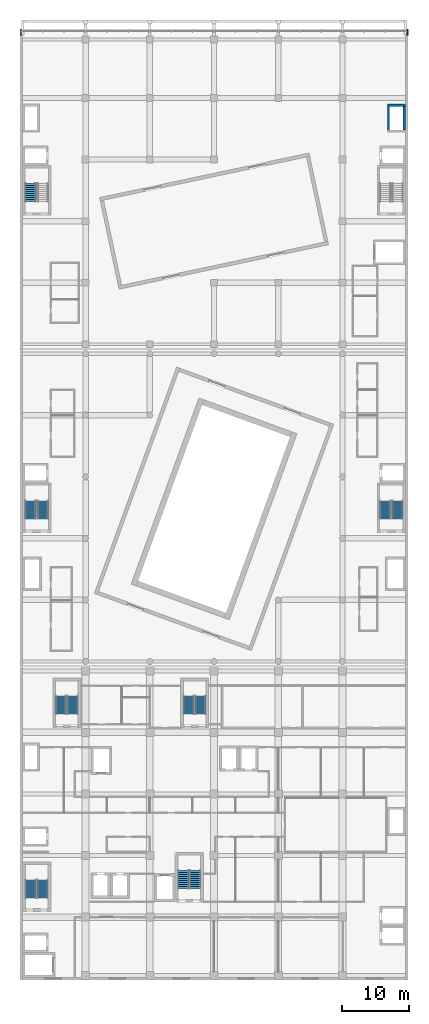
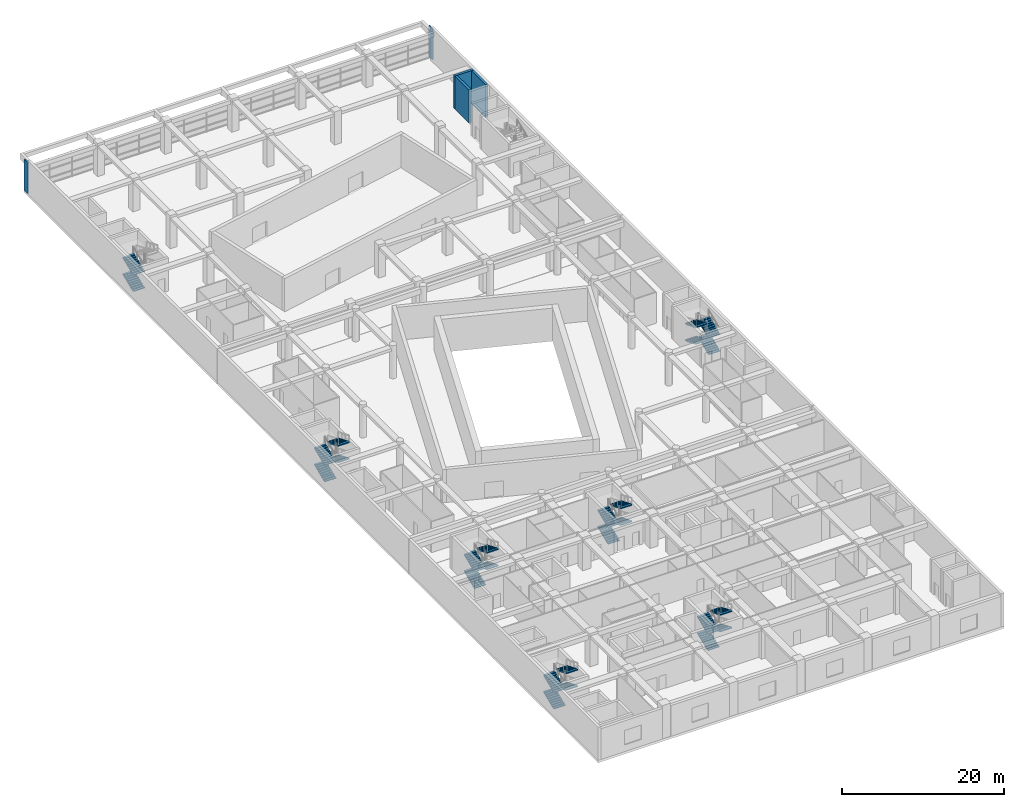
# One storey, part 15 of 31: 26 stair flights, 5 walls, 7 elements without a shape of their own.
"""IFC4 building model written with IfcOpenShell, lengths in metres."""

from ifc_helpers import new_model, si_unit, direction, frame, frame_2d, origin, place, context, subcontext, project, spatial, polyline, rectangle, outline, extrude, material, layer, layer_set, layer_usage, type_object, element, aggregate, save


model = new_model("IFC4")

# Units and contexts
model_context = context("Model", 3, precision=1e-05, world=origin(), true_north=direction((0.0, 1.0)))
body_context = subcontext(model_context, "Body", "Model", "MODEL_VIEW")
ifc_project = project(units=[si_unit("LENGTHUNIT", "METRE"), si_unit("AREAUNIT", "SQUARE_METRE"), si_unit("VOLUMEUNIT", "CUBIC_METRE"), si_unit("PLANEANGLEUNIT", "RADIAN"), si_unit("MASSUNIT", "GRAM", prefix="KILO")], contexts=[model_context])

# Site, building, storey
site_placement = place(None, origin())
site = spatial("IfcSite", under=ifc_project, at=site_placement, CompositionType="ELEMENT")
building_placement = place(site_placement, origin())
building = spatial("IfcBuilding", under=site, at=building_placement, Name="Nzadi Deep Aquarium and Research Tower", CompositionType="ELEMENT")
storey_placement = place(building_placement, frame((0.0, 0.0, 21.699951171875)))
storey = spatial("IfcBuildingStorey", under=building, at=storey_placement, Name="L03", CompositionType="ELEMENT", Elevation=21.699951171875)

# Walls
ifc_material_1 = material(Name="Graphite aluminium shingle", Category="aluminium")
ifc_layer_1 = layer(ifc_material_1, 0.050048828125, Category="cladding")
ifc_material_2 = material(Name="Concrete C35/45", Category="concrete")
ifc_layer_2 = layer(ifc_material_2, 0.10009765625, Category="cladding")
ifc_material_3 = material(Name="Mineral wool insulation")
ifc_layer_3 = layer(ifc_material_3, 0.050048828125, Category="insulation")
ifc_layer_set_1 = layer_set([ifc_layer_1, ifc_layer_2, ifc_layer_3], Name="Graphite aluminium shingle, Concrete C35/45, Mineral wool insulation")
ifc_layer_usage_1 = layer_usage(ifc_layer_set_1, "AXIS2", "POSITIVE", -0.0999755859375)
wall_type_1 = type_object("IfcWallType", Name="End wall shingle over board-formed concrete 200", PredefinedType="ELEMENTEDWALL", material=ifc_layer_set_1)
wall_1_placement = place(storey_placement, frame((-0.099365234375, 141.89990234375, 0.0), z_axis=(0.0, 0.0, 1.0), x_axis=(0.0, -1.0, 0.0)))
element("IfcWall", 1, at=wall_1_placement, inside=storey, type_object=wall_type_1, material=ifc_layer_usage_1, Name="North cascade cheek wall L03", PredefinedType="ELEMENTEDWALL", context=body_context, shape_type="SweptSolid", body=[
    extrude(rectangle(XDim=0.89990234375, YDim=0.199951171875, at=frame_2d((0.449951171875, 0.0))), origin(), (0.0, 0.0, 1.0), 4.650146484375),
])
ifc_layer_usage_2 = layer_usage(ifc_layer_set_1, "AXIS2", "POSITIVE", -0.0999755859375)
wall_2_placement = place(storey_placement, frame((57.699462890625, 141.0, 0.0), z_axis=(0.0, 0.0, 1.0), x_axis=(0.0, 1.0, 0.0)))
element("IfcWall", 2, at=wall_2_placement, inside=storey, type_object=wall_type_1, material=ifc_layer_usage_2, Name="North cascade cheek wall L03", PredefinedType="ELEMENTEDWALL", context=body_context, shape_type="SweptSolid", body=[
    extrude(rectangle(XDim=0.89990234375, YDim=0.199951171875, at=frame_2d((0.449951171875, 0.0))), origin(), (0.0, 0.0, 1.0), 4.650146484375),
])
ifc_material_4 = material(Name="Concrete C35/45", Category="concrete")
ifc_layer_4 = layer(ifc_material_4, 0.35009765625)
ifc_layer_set_2 = layer_set([ifc_layer_4], Name="Concrete C35/45")
wall_type_2 = type_object("IfcWallType", Name="RC core wall 350", PredefinedType="SHEAR", material=ifc_layer_set_2)
wall_3_placement = place(storey_placement, frame((54.699951171875, 130.52490234375, 0.0), z_axis=(0.0, 0.0, 1.0), x_axis=(1.0, 0.0, 0.0)))
element("IfcWall", 3, at=wall_3_placement, inside=storey, type_object=wall_type_2, Name="W-CORE-RS-Z3-E-L03-N", PredefinedType="SHEAR", context=body_context, shape_type="SweptSolid", body=[
    extrude(rectangle(XDim=2.699951171875, YDim=0.35009765625, at=frame_2d((1.35009765625, 0.0))), origin(), (0.0, 0.0, 1.0), 5.0),
])
for number, where, z_axis, x_axis, name in (
    (4, (54.875, 126.85009765625, 0.0), (0.0, 0.0, 1.0), (0.0, 1.0, 0.0), "W-CORE-RS-Z3-E-L03-W"),
    (5, (57.22509765625, 126.85009765625, 0.0), (0.0, 0.0, 1.0), (0.0, 1.0, 0.0), "W-CORE-RS-Z3-E-L03-E"),
):
    element("IfcWall", number, at=place(storey_placement, frame(where, z_axis=z_axis, x_axis=x_axis)), inside=storey, type_object=wall_type_2, Name=name, PredefinedType="SHEAR", context=body_context, shape_type="SweptSolid", body=[
        extrude(rectangle(XDim=3.5, YDim=0.35009765625, at=frame_2d((1.75, 0.0))), origin(), (0.0, 0.0, 1.0), 5.0),
    ])

# Stair, stair flights
ifc_material_5 = material(Name="Concrete C35/45", Category="concrete")
stair_type = type_object("IfcStairType", Name="STAIR RETURN 3000", PredefinedType="NOTDEFINED", material=ifc_material_5)
stair_1_placement = place(storey_placement, origin())
stair_1 = element("IfcStair", 6, at=stair_1_placement, inside=storey, type_object=stair_type, Name="Stair ST-Z1-SW L03", PredefinedType="DOUBLE_RETURN_STAIR")
ifc_material_6 = material(Name="Concrete C35/45", Category="concrete")
stair_flight_type = type_object("IfcStairFlightType", Name="FLIGHT 1625 10 RISERS 125.0", PredefinedType="STRAIGHT", material=ifc_material_6)
stair_flight_1_placement = place(storey_placement, frame((1.41259765625, 12.070068359375, 0.0), z_axis=(0.0, 0.0, 1.0), x_axis=(0.0, 1.0, 0.0)))
stair_flight_1 = element("IfcStairFlight", 7, at=stair_flight_1_placement, type_object=stair_flight_type, Name="ST-Z1-SW flight 1", NumberOfRisers=10, NumberOfTreads=9, PredefinedType="STRAIGHT", RiserHeight=0.125, TreadLength=0.3, context=body_context, shape_type="SweptSolid", body=[
    extrude(outline(polyline([(0.0, 0.0), (0.0, 0.125), (0.300048828125, 0.125), (0.300048828125, 0.25), (0.60009765625, 0.25), (0.60009765625, 0.375), (0.89990234375, 0.375), (0.89990234375, 0.5), (1.199951171875, 0.5), (1.199951171875, 0.625), (1.5, 0.625), (1.5, 0.75), (1.800048828125, 0.75), (1.800048828125, 0.875), (2.10009765625, 0.875), (2.10009765625, 1.0), (2.39990234375, 1.0), (2.39990234375, 1.125), (2.699951171875, 1.125), (2.699951171875, 1.25), (2.699951171875, 0.962646484375), (0.3896484375, 0.0), (0.0, 0.0)])), frame((0.0, 0.8125, 0.0), z_axis=(0.0, -1.0, 0.0), x_axis=(1.0, 0.0, 0.0)), (0.0, 0.0, 1.0), 1.625),
])
stair_flight_2_placement = place(storey_placement, frame((3.1875, 14.77001953125, 1.25), z_axis=(0.0, 0.0, 1.0), x_axis=(0.0, -1.0, 0.0)))
stair_flight_2 = element("IfcStairFlight", 8, at=stair_flight_2_placement, type_object=stair_flight_type, Name="ST-Z1-SW flight 2", NumberOfRisers=10, NumberOfTreads=9, PredefinedType="STRAIGHT", RiserHeight=0.125, TreadLength=0.3, context=body_context, shape_type="SweptSolid", body=[
    extrude(outline(polyline([(0.0, 0.0), (0.0, 0.125), (0.300048828125, 0.125), (0.300048828125, 0.25), (0.60009765625, 0.25), (0.60009765625, 0.375), (0.89990234375, 0.375), (0.89990234375, 0.5), (1.199951171875, 0.5), (1.199951171875, 0.625), (1.5, 0.625), (1.5, 0.75), (1.800048828125, 0.75), (1.800048828125, 0.875), (2.10009765625, 0.875), (2.10009765625, 1.0), (2.39990234375, 1.0), (2.39990234375, 1.125), (2.699951171875, 1.125), (2.699951171875, 1.25), (2.699951171875, 0.962646484375), (0.3896484375, 0.0), (0.0, 0.0)])), frame((0.0, 0.8125, 0.0), z_axis=(0.0, -1.0, 0.0), x_axis=(1.0, 0.0, 0.0)), (0.0, 0.0, 1.0), 1.625),
])
stair_flight_3_placement = place(storey_placement, frame((1.41259765625, 12.070068359375, 2.5), z_axis=(0.0, 0.0, 1.0), x_axis=(0.0, 1.0, 0.0)))
stair_flight_3 = element("IfcStairFlight", 9, at=stair_flight_3_placement, type_object=stair_flight_type, Name="ST-Z1-SW flight 3", NumberOfRisers=10, NumberOfTreads=9, PredefinedType="STRAIGHT", RiserHeight=0.125, TreadLength=0.3, context=body_context, shape_type="SweptSolid", body=[
    extrude(outline(polyline([(0.0, 0.0), (0.0, 0.125), (0.300048828125, 0.125), (0.300048828125, 0.25), (0.60009765625, 0.25), (0.60009765625, 0.375), (0.89990234375, 0.375), (0.89990234375, 0.5), (1.199951171875, 0.5), (1.199951171875, 0.625), (1.5, 0.625), (1.5, 0.75), (1.800048828125, 0.75), (1.800048828125, 0.875), (2.10009765625, 0.875), (2.10009765625, 1.0), (2.39990234375, 1.0), (2.39990234375, 1.125), (2.699951171875, 1.125), (2.699951171875, 1.25), (2.699951171875, 0.962646484375), (0.3896484375, 0.0), (0.0, 0.0)])), frame((0.0, 0.8125, 0.0), z_axis=(0.0, -1.0, 0.0), x_axis=(1.0, 0.0, 0.0)), (0.0, 0.0, 1.0), 1.625),
])
stair_flight_4_placement = place(storey_placement, frame((3.1875, 14.77001953125, 3.75), z_axis=(0.0, 0.0, 1.0), x_axis=(0.0, -1.0, 0.0)))
stair_flight_4 = element("IfcStairFlight", 10, at=stair_flight_4_placement, type_object=stair_flight_type, Name="ST-Z1-SW flight 4", NumberOfRisers=10, NumberOfTreads=9, PredefinedType="STRAIGHT", RiserHeight=0.125, TreadLength=0.3, context=body_context, shape_type="SweptSolid", body=[
    extrude(outline(polyline([(0.0, 0.0), (0.0, 0.125), (0.300048828125, 0.125), (0.300048828125, 0.25), (0.60009765625, 0.25), (0.60009765625, 0.375), (0.89990234375, 0.375), (0.89990234375, 0.5), (1.199951171875, 0.5), (1.199951171875, 0.625), (1.5, 0.625), (1.5, 0.75), (1.800048828125, 0.75), (1.800048828125, 0.875), (2.10009765625, 0.875), (2.10009765625, 1.0), (2.39990234375, 1.0), (2.39990234375, 1.125), (2.699951171875, 1.125), (2.699951171875, 1.25), (2.699951171875, 0.962646484375), (0.3896484375, 0.0), (0.0, 0.0)])), frame((0.0, 0.8125, 0.0), z_axis=(0.0, -1.0, 0.0), x_axis=(1.0, 0.0, 0.0)), (0.0, 0.0, 1.0), 1.625),
])
aggregate(stair_1, [stair_flight_1, stair_flight_2, stair_flight_3, stair_flight_4])

stair_2_placement = place(storey_placement, origin())
stair_2 = element("IfcStair", 11, at=stair_2_placement, inside=storey, type_object=stair_type, Name="Stair ST-Z1-SE L03", PredefinedType="DOUBLE_RETURN_STAIR")
stair_flight_5_placement = place(storey_placement, frame((24.21240234375, 13.469970703125, 0.0), z_axis=(0.0, 0.0, 1.0), x_axis=(0.0, 1.0, 0.0)))
stair_flight_5 = element("IfcStairFlight", 12, at=stair_flight_5_placement, type_object=stair_flight_type, Name="ST-Z1-SE flight 1", NumberOfRisers=10, NumberOfTreads=9, PredefinedType="STRAIGHT", RiserHeight=0.125, TreadLength=0.3, context=body_context, shape_type="SweptSolid", body=[
    extrude(outline(polyline([(0.0, 0.0), (0.0, 0.125), (0.300048828125, 0.125), (0.300048828125, 0.25), (0.60009765625, 0.25), (0.60009765625, 0.375), (0.89990234375, 0.375), (0.89990234375, 0.5), (1.199951171875, 0.5), (1.199951171875, 0.625), (1.5, 0.625), (1.5, 0.75), (1.800048828125, 0.75), (1.800048828125, 0.875), (2.10009765625, 0.875), (2.10009765625, 1.0), (2.39990234375, 1.0), (2.39990234375, 1.125), (2.699951171875, 1.125), (2.699951171875, 1.25), (2.699951171875, 0.962646484375), (0.3896484375, 0.0), (0.0, 0.0)])), frame((0.0, 0.8125, 0.0), z_axis=(0.0, -1.0, 0.0), x_axis=(1.0, 0.0, 0.0)), (0.0, 0.0, 1.0), 1.625),
])
stair_flight_6_placement = place(storey_placement, frame((25.987548828125, 16.169921875, 1.25), z_axis=(0.0, 0.0, 1.0), x_axis=(0.0, -1.0, 0.0)))
stair_flight_6 = element("IfcStairFlight", 13, at=stair_flight_6_placement, type_object=stair_flight_type, Name="ST-Z1-SE flight 2", NumberOfRisers=10, NumberOfTreads=9, PredefinedType="STRAIGHT", RiserHeight=0.125, TreadLength=0.3, context=body_context, shape_type="SweptSolid", body=[
    extrude(outline(polyline([(0.0, 0.0), (0.0, 0.125), (0.300048828125, 0.125), (0.300048828125, 0.25), (0.60009765625, 0.25), (0.60009765625, 0.375), (0.89990234375, 0.375), (0.89990234375, 0.5), (1.199951171875, 0.5), (1.199951171875, 0.625), (1.5, 0.625), (1.5, 0.75), (1.800048828125, 0.75), (1.800048828125, 0.875), (2.10009765625, 0.875), (2.10009765625, 1.0), (2.39990234375, 1.0), (2.39990234375, 1.125), (2.699951171875, 1.125), (2.699951171875, 1.25), (2.699951171875, 0.962646484375), (0.3896484375, 0.0), (0.0, 0.0)])), frame((0.0, 0.8125, 0.0), z_axis=(0.0, -1.0, 0.0), x_axis=(1.0, 0.0, 0.0)), (0.0, 0.0, 1.0), 1.625),
])
stair_flight_7_placement = place(storey_placement, frame((24.21240234375, 13.469970703125, 2.5), z_axis=(0.0, 0.0, 1.0), x_axis=(0.0, 1.0, 0.0)))
stair_flight_7 = element("IfcStairFlight", 14, at=stair_flight_7_placement, type_object=stair_flight_type, Name="ST-Z1-SE flight 3", NumberOfRisers=10, NumberOfTreads=9, PredefinedType="STRAIGHT", RiserHeight=0.125, TreadLength=0.3, context=body_context, shape_type="SweptSolid", body=[
    extrude(outline(polyline([(0.0, 0.0), (0.0, 0.125), (0.300048828125, 0.125), (0.300048828125, 0.25), (0.60009765625, 0.25), (0.60009765625, 0.375), (0.89990234375, 0.375), (0.89990234375, 0.5), (1.199951171875, 0.5), (1.199951171875, 0.625), (1.5, 0.625), (1.5, 0.75), (1.800048828125, 0.75), (1.800048828125, 0.875), (2.10009765625, 0.875), (2.10009765625, 1.0), (2.39990234375, 1.0), (2.39990234375, 1.125), (2.699951171875, 1.125), (2.699951171875, 1.25), (2.699951171875, 0.962646484375), (0.3896484375, 0.0), (0.0, 0.0)])), frame((0.0, 0.8125, 0.0), z_axis=(0.0, -1.0, 0.0), x_axis=(1.0, 0.0, 0.0)), (0.0, 0.0, 1.0), 1.625),
])
stair_flight_8_placement = place(storey_placement, frame((25.987548828125, 16.169921875, 3.75), z_axis=(0.0, 0.0, 1.0), x_axis=(0.0, -1.0, 0.0)))
stair_flight_8 = element("IfcStairFlight", 15, at=stair_flight_8_placement, type_object=stair_flight_type, Name="ST-Z1-SE flight 4", NumberOfRisers=10, NumberOfTreads=9, PredefinedType="STRAIGHT", RiserHeight=0.125, TreadLength=0.3, context=body_context, shape_type="SweptSolid", body=[
    extrude(outline(polyline([(0.0, 0.0), (0.0, 0.125), (0.300048828125, 0.125), (0.300048828125, 0.25), (0.60009765625, 0.25), (0.60009765625, 0.375), (0.89990234375, 0.375), (0.89990234375, 0.5), (1.199951171875, 0.5), (1.199951171875, 0.625), (1.5, 0.625), (1.5, 0.75), (1.800048828125, 0.75), (1.800048828125, 0.875), (2.10009765625, 0.875), (2.10009765625, 1.0), (2.39990234375, 1.0), (2.39990234375, 1.125), (2.699951171875, 1.125), (2.699951171875, 1.25), (2.699951171875, 0.962646484375), (0.3896484375, 0.0), (0.0, 0.0)])), frame((0.0, 0.8125, 0.0), z_axis=(0.0, -1.0, 0.0), x_axis=(1.0, 0.0, 0.0)), (0.0, 0.0, 1.0), 1.625),
])
aggregate(stair_2, [stair_flight_5, stair_flight_6, stair_flight_7, stair_flight_8])

stair_3_placement = place(storey_placement, origin())
stair_3 = element("IfcStair", 16, at=stair_3_placement, inside=storey, type_object=stair_type, Name="Stair ST-Z1-NW L03", PredefinedType="DOUBLE_RETURN_STAIR")
stair_flight_9_placement = place(storey_placement, frame((5.91259765625, 39.52001953125, 0.0), z_axis=(0.0, 0.0, 1.0), x_axis=(0.0, 1.0, 0.0)))
stair_flight_9 = element("IfcStairFlight", 17, at=stair_flight_9_placement, type_object=stair_flight_type, Name="ST-Z1-NW flight 1", NumberOfRisers=10, NumberOfTreads=9, PredefinedType="STRAIGHT", RiserHeight=0.125, TreadLength=0.3, context=body_context, shape_type="SweptSolid", body=[
    extrude(outline(polyline([(0.0, 0.0), (0.0, 0.125), (0.300048828125, 0.125), (0.300048828125, 0.25), (0.60009765625, 0.25), (0.60009765625, 0.375), (0.89990234375, 0.375), (0.89990234375, 0.5), (1.199951171875, 0.5), (1.199951171875, 0.625), (1.5, 0.625), (1.5, 0.75), (1.800048828125, 0.75), (1.800048828125, 0.875), (2.10009765625, 0.875), (2.10009765625, 1.0), (2.39990234375, 1.0), (2.39990234375, 1.125), (2.699951171875, 1.125), (2.699951171875, 1.25), (2.699951171875, 0.962646484375), (0.3896484375, 0.0), (0.0, 0.0)])), frame((0.0, 0.8125, 0.0), z_axis=(0.0, -1.0, 0.0), x_axis=(1.0, 0.0, 0.0)), (0.0, 0.0, 1.0), 1.625),
])
stair_flight_10_placement = place(storey_placement, frame((7.6875, 42.219970703125, 1.25), z_axis=(0.0, 0.0, 1.0), x_axis=(0.0, -1.0, 0.0)))
stair_flight_10 = element("IfcStairFlight", 18, at=stair_flight_10_placement, type_object=stair_flight_type, Name="ST-Z1-NW flight 2", NumberOfRisers=10, NumberOfTreads=9, PredefinedType="STRAIGHT", RiserHeight=0.125, TreadLength=0.3, context=body_context, shape_type="SweptSolid", body=[
    extrude(outline(polyline([(0.0, 0.0), (0.0, 0.125), (0.300048828125, 0.125), (0.300048828125, 0.25), (0.60009765625, 0.25), (0.60009765625, 0.375), (0.89990234375, 0.375), (0.89990234375, 0.5), (1.199951171875, 0.5), (1.199951171875, 0.625), (1.5, 0.625), (1.5, 0.75), (1.800048828125, 0.75), (1.800048828125, 0.875), (2.10009765625, 0.875), (2.10009765625, 1.0), (2.39990234375, 1.0), (2.39990234375, 1.125), (2.699951171875, 1.125), (2.699951171875, 1.25), (2.699951171875, 0.962646484375), (0.3896484375, 0.0), (0.0, 0.0)])), frame((0.0, 0.8125, 0.0), z_axis=(0.0, -1.0, 0.0), x_axis=(1.0, 0.0, 0.0)), (0.0, 0.0, 1.0), 1.625),
])
stair_flight_11_placement = place(storey_placement, frame((5.91259765625, 39.52001953125, 2.5), z_axis=(0.0, 0.0, 1.0), x_axis=(0.0, 1.0, 0.0)))
stair_flight_11 = element("IfcStairFlight", 19, at=stair_flight_11_placement, type_object=stair_flight_type, Name="ST-Z1-NW flight 3", NumberOfRisers=10, NumberOfTreads=9, PredefinedType="STRAIGHT", RiserHeight=0.125, TreadLength=0.3, context=body_context, shape_type="SweptSolid", body=[
    extrude(outline(polyline([(0.0, 0.0), (0.0, 0.125), (0.300048828125, 0.125), (0.300048828125, 0.25), (0.60009765625, 0.25), (0.60009765625, 0.375), (0.89990234375, 0.375), (0.89990234375, 0.5), (1.199951171875, 0.5), (1.199951171875, 0.625), (1.5, 0.625), (1.5, 0.75), (1.800048828125, 0.75), (1.800048828125, 0.875), (2.10009765625, 0.875), (2.10009765625, 1.0), (2.39990234375, 1.0), (2.39990234375, 1.125), (2.699951171875, 1.125), (2.699951171875, 1.25), (2.699951171875, 0.962646484375), (0.3896484375, 0.0), (0.0, 0.0)])), frame((0.0, 0.8125, 0.0), z_axis=(0.0, -1.0, 0.0), x_axis=(1.0, 0.0, 0.0)), (0.0, 0.0, 1.0), 1.625),
])
stair_flight_12_placement = place(storey_placement, frame((7.6875, 42.219970703125, 3.75), z_axis=(0.0, 0.0, 1.0), x_axis=(0.0, -1.0, 0.0)))
stair_flight_12 = element("IfcStairFlight", 20, at=stair_flight_12_placement, type_object=stair_flight_type, Name="ST-Z1-NW flight 4", NumberOfRisers=10, NumberOfTreads=9, PredefinedType="STRAIGHT", RiserHeight=0.125, TreadLength=0.3, context=body_context, shape_type="SweptSolid", body=[
    extrude(outline(polyline([(0.0, 0.0), (0.0, 0.125), (0.300048828125, 0.125), (0.300048828125, 0.25), (0.60009765625, 0.25), (0.60009765625, 0.375), (0.89990234375, 0.375), (0.89990234375, 0.5), (1.199951171875, 0.5), (1.199951171875, 0.625), (1.5, 0.625), (1.5, 0.75), (1.800048828125, 0.75), (1.800048828125, 0.875), (2.10009765625, 0.875), (2.10009765625, 1.0), (2.39990234375, 1.0), (2.39990234375, 1.125), (2.699951171875, 1.125), (2.699951171875, 1.25), (2.699951171875, 0.962646484375), (0.3896484375, 0.0), (0.0, 0.0)])), frame((0.0, 0.8125, 0.0), z_axis=(0.0, -1.0, 0.0), x_axis=(1.0, 0.0, 0.0)), (0.0, 0.0, 1.0), 1.625),
])
aggregate(stair_3, [stair_flight_9, stair_flight_10, stair_flight_11, stair_flight_12])

stair_4_placement = place(storey_placement, origin())
stair_4 = element("IfcStair", 21, at=stair_4_placement, inside=storey, type_object=stair_type, Name="Stair ST-Z1-NE L03", PredefinedType="DOUBLE_RETURN_STAIR")
stair_flight_13_placement = place(storey_placement, frame((25.012451171875, 39.52001953125, 0.0), z_axis=(0.0, 0.0, 1.0), x_axis=(0.0, 1.0, 0.0)))
stair_flight_13 = element("IfcStairFlight", 22, at=stair_flight_13_placement, type_object=stair_flight_type, Name="ST-Z1-NE flight 1", NumberOfRisers=10, NumberOfTreads=9, PredefinedType="STRAIGHT", RiserHeight=0.125, TreadLength=0.3, context=body_context, shape_type="SweptSolid", body=[
    extrude(outline(polyline([(0.0, 0.0), (0.0, 0.125), (0.300048828125, 0.125), (0.300048828125, 0.25), (0.60009765625, 0.25), (0.60009765625, 0.375), (0.89990234375, 0.375), (0.89990234375, 0.5), (1.199951171875, 0.5), (1.199951171875, 0.625), (1.5, 0.625), (1.5, 0.75), (1.800048828125, 0.75), (1.800048828125, 0.875), (2.10009765625, 0.875), (2.10009765625, 1.0), (2.39990234375, 1.0), (2.39990234375, 1.125), (2.699951171875, 1.125), (2.699951171875, 1.25), (2.699951171875, 0.962646484375), (0.3896484375, 0.0), (0.0, 0.0)])), frame((0.0, 0.8125, 0.0), z_axis=(0.0, -1.0, 0.0), x_axis=(1.0, 0.0, 0.0)), (0.0, 0.0, 1.0), 1.625),
])
stair_flight_14_placement = place(storey_placement, frame((26.78759765625, 42.219970703125, 1.25), z_axis=(0.0, 0.0, 1.0), x_axis=(0.0, -1.0, 0.0)))
stair_flight_14 = element("IfcStairFlight", 23, at=stair_flight_14_placement, type_object=stair_flight_type, Name="ST-Z1-NE flight 2", NumberOfRisers=10, NumberOfTreads=9, PredefinedType="STRAIGHT", RiserHeight=0.125, TreadLength=0.3, context=body_context, shape_type="SweptSolid", body=[
    extrude(outline(polyline([(0.0, 0.0), (0.0, 0.125), (0.300048828125, 0.125), (0.300048828125, 0.25), (0.60009765625, 0.25), (0.60009765625, 0.375), (0.89990234375, 0.375), (0.89990234375, 0.5), (1.199951171875, 0.5), (1.199951171875, 0.625), (1.5, 0.625), (1.5, 0.75), (1.800048828125, 0.75), (1.800048828125, 0.875), (2.10009765625, 0.875), (2.10009765625, 1.0), (2.39990234375, 1.0), (2.39990234375, 1.125), (2.699951171875, 1.125), (2.699951171875, 1.25), (2.699951171875, 0.962646484375), (0.3896484375, 0.0), (0.0, 0.0)])), frame((0.0, 0.8125, 0.0), z_axis=(0.0, -1.0, 0.0), x_axis=(1.0, 0.0, 0.0)), (0.0, 0.0, 1.0), 1.625),
])
stair_flight_15_placement = place(storey_placement, frame((25.012451171875, 39.52001953125, 2.5), z_axis=(0.0, 0.0, 1.0), x_axis=(0.0, 1.0, 0.0)))
stair_flight_15 = element("IfcStairFlight", 24, at=stair_flight_15_placement, type_object=stair_flight_type, Name="ST-Z1-NE flight 3", NumberOfRisers=10, NumberOfTreads=9, PredefinedType="STRAIGHT", RiserHeight=0.125, TreadLength=0.3, context=body_context, shape_type="SweptSolid", body=[
    extrude(outline(polyline([(0.0, 0.0), (0.0, 0.125), (0.300048828125, 0.125), (0.300048828125, 0.25), (0.60009765625, 0.25), (0.60009765625, 0.375), (0.89990234375, 0.375), (0.89990234375, 0.5), (1.199951171875, 0.5), (1.199951171875, 0.625), (1.5, 0.625), (1.5, 0.75), (1.800048828125, 0.75), (1.800048828125, 0.875), (2.10009765625, 0.875), (2.10009765625, 1.0), (2.39990234375, 1.0), (2.39990234375, 1.125), (2.699951171875, 1.125), (2.699951171875, 1.25), (2.699951171875, 0.962646484375), (0.3896484375, 0.0), (0.0, 0.0)])), frame((0.0, 0.8125, 0.0), z_axis=(0.0, -1.0, 0.0), x_axis=(1.0, 0.0, 0.0)), (0.0, 0.0, 1.0), 1.625),
])
stair_flight_16_placement = place(storey_placement, frame((26.78759765625, 42.219970703125, 3.75), z_axis=(0.0, 0.0, 1.0), x_axis=(0.0, -1.0, 0.0)))
stair_flight_16 = element("IfcStairFlight", 25, at=stair_flight_16_placement, type_object=stair_flight_type, Name="ST-Z1-NE flight 4", NumberOfRisers=10, NumberOfTreads=9, PredefinedType="STRAIGHT", RiserHeight=0.125, TreadLength=0.3, context=body_context, shape_type="SweptSolid", body=[
    extrude(outline(polyline([(0.0, 0.0), (0.0, 0.125), (0.300048828125, 0.125), (0.300048828125, 0.25), (0.60009765625, 0.25), (0.60009765625, 0.375), (0.89990234375, 0.375), (0.89990234375, 0.5), (1.199951171875, 0.5), (1.199951171875, 0.625), (1.5, 0.625), (1.5, 0.75), (1.800048828125, 0.75), (1.800048828125, 0.875), (2.10009765625, 0.875), (2.10009765625, 1.0), (2.39990234375, 1.0), (2.39990234375, 1.125), (2.699951171875, 1.125), (2.699951171875, 1.25), (2.699951171875, 0.962646484375), (0.3896484375, 0.0), (0.0, 0.0)])), frame((0.0, 0.8125, 0.0), z_axis=(0.0, -1.0, 0.0), x_axis=(1.0, 0.0, 0.0)), (0.0, 0.0, 1.0), 1.625),
])
aggregate(stair_4, [stair_flight_13, stair_flight_14, stair_flight_15, stair_flight_16])

stair_5_placement = place(storey_placement, origin())
stair_5 = element("IfcStair", 26, at=stair_5_placement, inside=storey, type_object=stair_type, Name="Stair ST-Z2-W L03", PredefinedType="DOUBLE_RETURN_STAIR")
stair_flight_17_placement = place(storey_placement, frame((1.362548828125, 68.7099609375, 0.0), z_axis=(0.0, 0.0, 1.0), x_axis=(0.0, 1.0, 0.0)))
stair_flight_17 = element("IfcStairFlight", 27, at=stair_flight_17_placement, type_object=stair_flight_type, Name="ST-Z2-W flight 1", NumberOfRisers=10, NumberOfTreads=9, PredefinedType="STRAIGHT", RiserHeight=0.125, TreadLength=0.3, context=body_context, shape_type="SweptSolid", body=[
    extrude(outline(polyline([(0.0, 0.0), (0.0, 0.125), (0.300048828125, 0.125), (0.300048828125, 0.25), (0.60009765625, 0.25), (0.60009765625, 0.375), (0.89990234375, 0.375), (0.89990234375, 0.5), (1.199951171875, 0.5), (1.199951171875, 0.625), (1.5, 0.625), (1.5, 0.75), (1.800048828125, 0.75), (1.800048828125, 0.875), (2.10009765625, 0.875), (2.10009765625, 1.0), (2.39990234375, 1.0), (2.39990234375, 1.125), (2.699951171875, 1.125), (2.699951171875, 1.25), (2.699951171875, 0.962646484375), (0.3896484375, 0.0), (0.0, 0.0)])), frame((0.0, 0.8125, 0.0), z_axis=(0.0, -1.0, 0.0), x_axis=(1.0, 0.0, 0.0)), (0.0, 0.0, 1.0), 1.625),
])
stair_flight_18_placement = place(storey_placement, frame((3.237548828125, 71.409912109375, 1.25), z_axis=(0.0, 0.0, 1.0), x_axis=(0.0, -1.0, 0.0)))
stair_flight_18 = element("IfcStairFlight", 28, at=stair_flight_18_placement, type_object=stair_flight_type, Name="ST-Z2-W flight 2", NumberOfRisers=10, NumberOfTreads=9, PredefinedType="STRAIGHT", RiserHeight=0.125, TreadLength=0.3, context=body_context, shape_type="SweptSolid", body=[
    extrude(outline(polyline([(0.0, 0.0), (0.0, 0.125), (0.300048828125, 0.125), (0.300048828125, 0.25), (0.60009765625, 0.25), (0.60009765625, 0.375), (0.89990234375, 0.375), (0.89990234375, 0.5), (1.199951171875, 0.5), (1.199951171875, 0.625), (1.5, 0.625), (1.5, 0.75), (1.800048828125, 0.75), (1.800048828125, 0.875), (2.10009765625, 0.875), (2.10009765625, 1.0), (2.39990234375, 1.0), (2.39990234375, 1.125), (2.699951171875, 1.125), (2.699951171875, 1.25), (2.699951171875, 0.962646484375), (0.3896484375, 0.0), (0.0, 0.0)])), frame((0.0, 0.8125, 0.0), z_axis=(0.0, -1.0, 0.0), x_axis=(1.0, 0.0, 0.0)), (0.0, 0.0, 1.0), 1.625),
])
stair_flight_19_placement = place(storey_placement, frame((1.362548828125, 68.7099609375, 2.5), z_axis=(0.0, 0.0, 1.0), x_axis=(0.0, 1.0, 0.0)))
stair_flight_19 = element("IfcStairFlight", 29, at=stair_flight_19_placement, type_object=stair_flight_type, Name="ST-Z2-W flight 3", NumberOfRisers=10, NumberOfTreads=9, PredefinedType="STRAIGHT", RiserHeight=0.125, TreadLength=0.3, context=body_context, shape_type="SweptSolid", body=[
    extrude(outline(polyline([(0.0, 0.0), (0.0, 0.125), (0.300048828125, 0.125), (0.300048828125, 0.25), (0.60009765625, 0.25), (0.60009765625, 0.375), (0.89990234375, 0.375), (0.89990234375, 0.5), (1.199951171875, 0.5), (1.199951171875, 0.625), (1.5, 0.625), (1.5, 0.75), (1.800048828125, 0.75), (1.800048828125, 0.875), (2.10009765625, 0.875), (2.10009765625, 1.0), (2.39990234375, 1.0), (2.39990234375, 1.125), (2.699951171875, 1.125), (2.699951171875, 1.25), (2.699951171875, 0.962646484375), (0.3896484375, 0.0), (0.0, 0.0)])), frame((0.0, 0.8125, 0.0), z_axis=(0.0, -1.0, 0.0), x_axis=(1.0, 0.0, 0.0)), (0.0, 0.0, 1.0), 1.625),
])
stair_flight_20_placement = place(storey_placement, frame((3.237548828125, 71.409912109375, 3.75), z_axis=(0.0, 0.0, 1.0), x_axis=(0.0, -1.0, 0.0)))
stair_flight_20 = element("IfcStairFlight", 30, at=stair_flight_20_placement, type_object=stair_flight_type, Name="ST-Z2-W flight 4", NumberOfRisers=10, NumberOfTreads=9, PredefinedType="STRAIGHT", RiserHeight=0.125, TreadLength=0.3, context=body_context, shape_type="SweptSolid", body=[
    extrude(outline(polyline([(0.0, 0.0), (0.0, 0.125), (0.300048828125, 0.125), (0.300048828125, 0.25), (0.60009765625, 0.25), (0.60009765625, 0.375), (0.89990234375, 0.375), (0.89990234375, 0.5), (1.199951171875, 0.5), (1.199951171875, 0.625), (1.5, 0.625), (1.5, 0.75), (1.800048828125, 0.75), (1.800048828125, 0.875), (2.10009765625, 0.875), (2.10009765625, 1.0), (2.39990234375, 1.0), (2.39990234375, 1.125), (2.699951171875, 1.125), (2.699951171875, 1.25), (2.699951171875, 0.962646484375), (0.3896484375, 0.0), (0.0, 0.0)])), frame((0.0, 0.8125, 0.0), z_axis=(0.0, -1.0, 0.0), x_axis=(1.0, 0.0, 0.0)), (0.0, 0.0, 1.0), 1.625),
])
aggregate(stair_5, [stair_flight_17, stair_flight_18, stair_flight_19, stair_flight_20])

stair_6_placement = place(storey_placement, origin())
stair_6 = element("IfcStair", 31, at=stair_6_placement, inside=storey, type_object=stair_type, Name="Stair ST-Z2-E L03", PredefinedType="DOUBLE_RETURN_STAIR")
stair_flight_21_placement = place(storey_placement, frame((56.237548828125, 68.7099609375, 0.0), z_axis=(0.0, 0.0, 1.0), x_axis=(0.0, 1.0, 0.0)))
stair_flight_21 = element("IfcStairFlight", 32, at=stair_flight_21_placement, type_object=stair_flight_type, Name="ST-Z2-E flight 1", NumberOfRisers=10, NumberOfTreads=9, PredefinedType="STRAIGHT", RiserHeight=0.125, TreadLength=0.3, context=body_context, shape_type="SweptSolid", body=[
    extrude(outline(polyline([(0.0, 0.0), (0.0, 0.125), (0.300048828125, 0.125), (0.300048828125, 0.25), (0.60009765625, 0.25), (0.60009765625, 0.375), (0.89990234375, 0.375), (0.89990234375, 0.5), (1.199951171875, 0.5), (1.199951171875, 0.625), (1.5, 0.625), (1.5, 0.75), (1.800048828125, 0.75), (1.800048828125, 0.875), (2.10009765625, 0.875), (2.10009765625, 1.0), (2.39990234375, 1.0), (2.39990234375, 1.125), (2.699951171875, 1.125), (2.699951171875, 1.25), (2.699951171875, 0.962646484375), (0.3896484375, 0.0), (0.0, 0.0)])), frame((0.0, 0.8125, 0.0), z_axis=(0.0, -1.0, 0.0), x_axis=(1.0, 0.0, 0.0)), (0.0, 0.0, 1.0), 1.625),
])
stair_flight_22_placement = place(storey_placement, frame((54.362548828125, 71.409912109375, 1.25), z_axis=(0.0, 0.0, 1.0), x_axis=(0.0, -1.0, 0.0)))
stair_flight_22 = element("IfcStairFlight", 33, at=stair_flight_22_placement, type_object=stair_flight_type, Name="ST-Z2-E flight 2", NumberOfRisers=10, NumberOfTreads=9, PredefinedType="STRAIGHT", RiserHeight=0.125, TreadLength=0.3, context=body_context, shape_type="SweptSolid", body=[
    extrude(outline(polyline([(0.0, 0.0), (0.0, 0.125), (0.300048828125, 0.125), (0.300048828125, 0.25), (0.60009765625, 0.25), (0.60009765625, 0.375), (0.89990234375, 0.375), (0.89990234375, 0.5), (1.199951171875, 0.5), (1.199951171875, 0.625), (1.5, 0.625), (1.5, 0.75), (1.800048828125, 0.75), (1.800048828125, 0.875), (2.10009765625, 0.875), (2.10009765625, 1.0), (2.39990234375, 1.0), (2.39990234375, 1.125), (2.699951171875, 1.125), (2.699951171875, 1.25), (2.699951171875, 0.962646484375), (0.3896484375, 0.0), (0.0, 0.0)])), frame((0.0, 0.8125, 0.0), z_axis=(0.0, -1.0, 0.0), x_axis=(1.0, 0.0, 0.0)), (0.0, 0.0, 1.0), 1.625),
])
stair_flight_23_placement = place(storey_placement, frame((56.237548828125, 68.7099609375, 2.5), z_axis=(0.0, 0.0, 1.0), x_axis=(0.0, 1.0, 0.0)))
stair_flight_23 = element("IfcStairFlight", 34, at=stair_flight_23_placement, type_object=stair_flight_type, Name="ST-Z2-E flight 3", NumberOfRisers=10, NumberOfTreads=9, PredefinedType="STRAIGHT", RiserHeight=0.125, TreadLength=0.3, context=body_context, shape_type="SweptSolid", body=[
    extrude(outline(polyline([(0.0, 0.0), (0.0, 0.125), (0.300048828125, 0.125), (0.300048828125, 0.25), (0.60009765625, 0.25), (0.60009765625, 0.375), (0.89990234375, 0.375), (0.89990234375, 0.5), (1.199951171875, 0.5), (1.199951171875, 0.625), (1.5, 0.625), (1.5, 0.75), (1.800048828125, 0.75), (1.800048828125, 0.875), (2.10009765625, 0.875), (2.10009765625, 1.0), (2.39990234375, 1.0), (2.39990234375, 1.125), (2.699951171875, 1.125), (2.699951171875, 1.25), (2.699951171875, 0.962646484375), (0.3896484375, 0.0), (0.0, 0.0)])), frame((0.0, 0.8125, 0.0), z_axis=(0.0, -1.0, 0.0), x_axis=(1.0, 0.0, 0.0)), (0.0, 0.0, 1.0), 1.625),
])
stair_flight_24_placement = place(storey_placement, frame((54.362548828125, 71.409912109375, 3.75), z_axis=(0.0, 0.0, 1.0), x_axis=(0.0, -1.0, 0.0)))
stair_flight_24 = element("IfcStairFlight", 35, at=stair_flight_24_placement, type_object=stair_flight_type, Name="ST-Z2-E flight 4", NumberOfRisers=10, NumberOfTreads=9, PredefinedType="STRAIGHT", RiserHeight=0.125, TreadLength=0.3, context=body_context, shape_type="SweptSolid", body=[
    extrude(outline(polyline([(0.0, 0.0), (0.0, 0.125), (0.300048828125, 0.125), (0.300048828125, 0.25), (0.60009765625, 0.25), (0.60009765625, 0.375), (0.89990234375, 0.375), (0.89990234375, 0.5), (1.199951171875, 0.5), (1.199951171875, 0.625), (1.5, 0.625), (1.5, 0.75), (1.800048828125, 0.75), (1.800048828125, 0.875), (2.10009765625, 0.875), (2.10009765625, 1.0), (2.39990234375, 1.0), (2.39990234375, 1.125), (2.699951171875, 1.125), (2.699951171875, 1.25), (2.699951171875, 0.962646484375), (0.3896484375, 0.0), (0.0, 0.0)])), frame((0.0, 0.8125, 0.0), z_axis=(0.0, -1.0, 0.0), x_axis=(1.0, 0.0, 0.0)), (0.0, 0.0, 1.0), 1.625),
])
aggregate(stair_6, [stair_flight_21, stair_flight_22, stair_flight_23, stair_flight_24])

stair_7_placement = place(storey_placement, origin())
stair_7 = element("IfcStair", 36, at=stair_7_placement, inside=storey, type_object=stair_type, Name="Stair ST-Z3-W L03", PredefinedType="DOUBLE_RETURN_STAIR")
stair_flight_25_placement = place(storey_placement, frame((1.362548828125, 116.110107421875, 0.0), z_axis=(0.0, 0.0, 1.0), x_axis=(0.0, 1.0, 0.0)))
stair_flight_25 = element("IfcStairFlight", 37, at=stair_flight_25_placement, type_object=stair_flight_type, Name="ST-Z3-W flight 1", NumberOfRisers=10, NumberOfTreads=9, PredefinedType="STRAIGHT", RiserHeight=0.125, TreadLength=0.3, context=body_context, shape_type="SweptSolid", body=[
    extrude(outline(polyline([(0.0, 0.0), (0.0, 0.125), (0.300048828125, 0.125), (0.300048828125, 0.25), (0.60009765625, 0.25), (0.60009765625, 0.375), (0.89990234375, 0.375), (0.89990234375, 0.5), (1.199951171875, 0.5), (1.199951171875, 0.625), (1.5, 0.625), (1.5, 0.75), (1.800048828125, 0.75), (1.800048828125, 0.875), (2.10009765625, 0.875), (2.10009765625, 1.0), (2.39990234375, 1.0), (2.39990234375, 1.125), (2.699951171875, 1.125), (2.699951171875, 1.25), (2.699951171875, 0.962646484375), (0.3896484375, 0.0), (0.0, 0.0)])), frame((0.0, 0.8125, 0.0), z_axis=(0.0, -1.0, 0.0), x_axis=(1.0, 0.0, 0.0)), (0.0, 0.0, 1.0), 1.625),
])
stair_flight_26_placement = place(storey_placement, frame((1.362548828125, 116.110107421875, 2.5), z_axis=(0.0, 0.0, 1.0), x_axis=(0.0, 1.0, 0.0)))
stair_flight_26 = element("IfcStairFlight", 38, at=stair_flight_26_placement, type_object=stair_flight_type, Name="ST-Z3-W flight 3", NumberOfRisers=10, NumberOfTreads=9, PredefinedType="STRAIGHT", RiserHeight=0.125, TreadLength=0.3, context=body_context, shape_type="SweptSolid", body=[
    extrude(outline(polyline([(0.0, 0.0), (0.0, 0.125), (0.300048828125, 0.125), (0.300048828125, 0.25), (0.60009765625, 0.25), (0.60009765625, 0.375), (0.89990234375, 0.375), (0.89990234375, 0.5), (1.199951171875, 0.5), (1.199951171875, 0.625), (1.5, 0.625), (1.5, 0.75), (1.800048828125, 0.75), (1.800048828125, 0.875), (2.10009765625, 0.875), (2.10009765625, 1.0), (2.39990234375, 1.0), (2.39990234375, 1.125), (2.699951171875, 1.125), (2.699951171875, 1.25), (2.699951171875, 0.962646484375), (0.3896484375, 0.0), (0.0, 0.0)])), frame((0.0, 0.8125, 0.0), z_axis=(0.0, -1.0, 0.0), x_axis=(1.0, 0.0, 0.0)), (0.0, 0.0, 1.0), 1.625),
])
aggregate(stair_7, [stair_flight_25, stair_flight_26])

save(model, "model.ifc")
